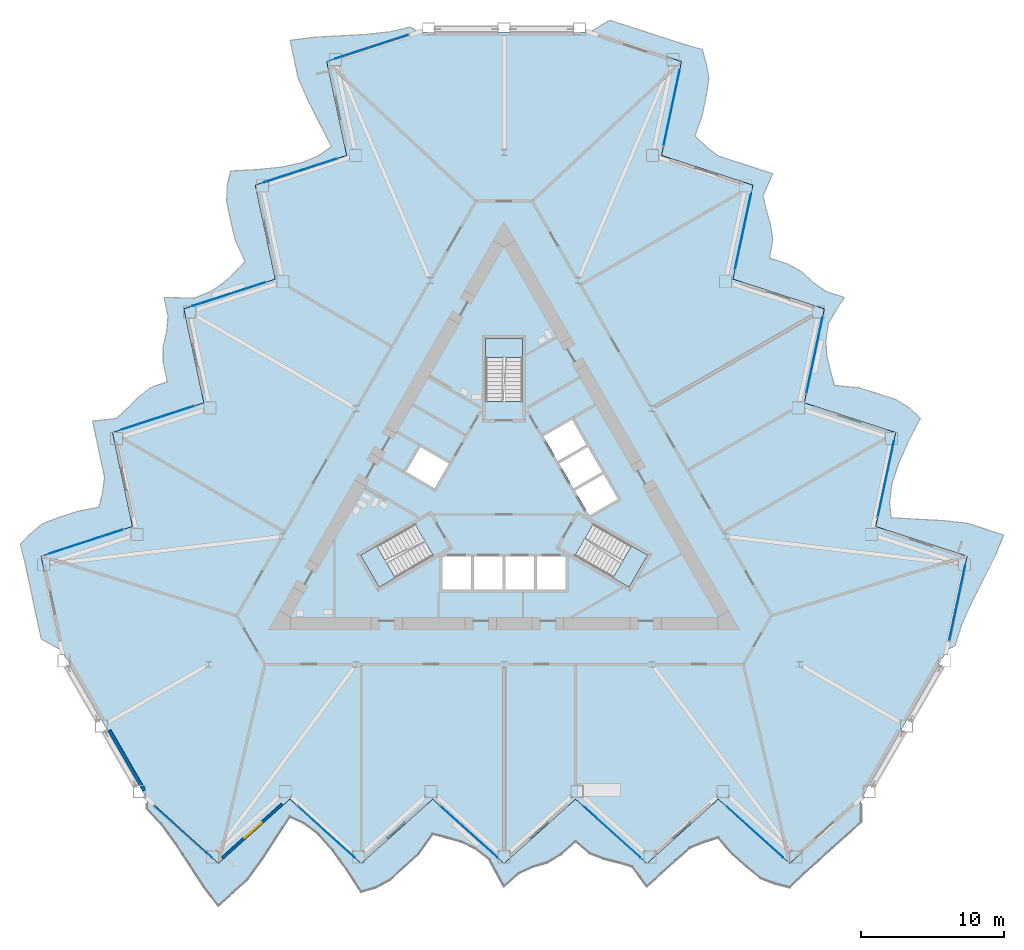
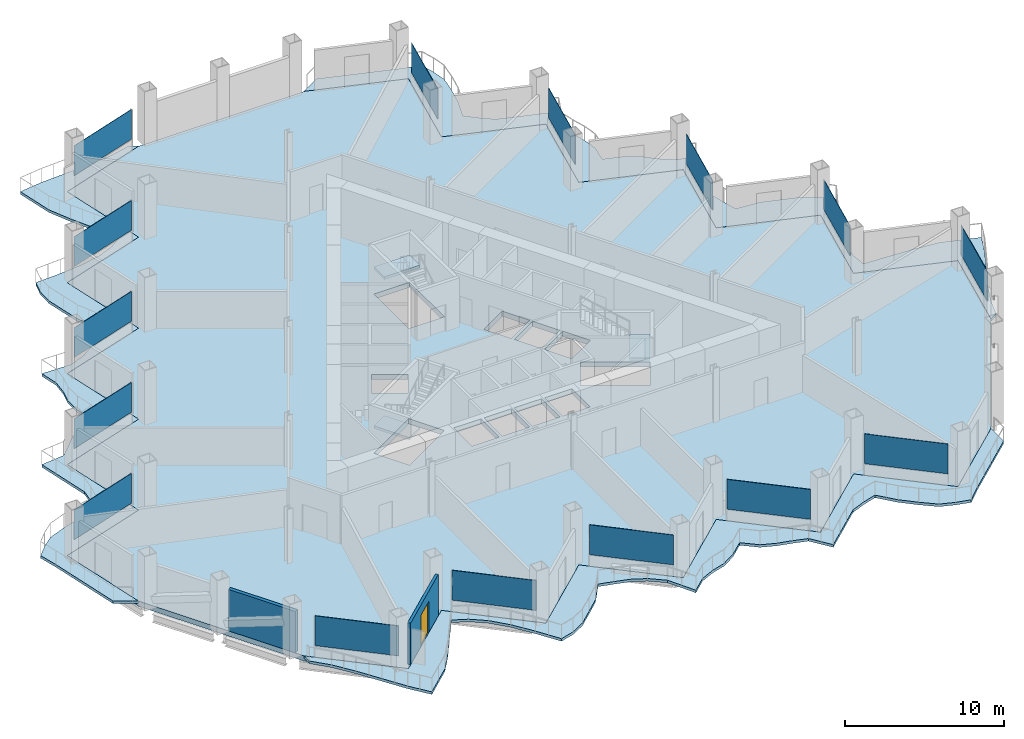
# One storey, part 9 of 21: 15 plates, 7 slabs, 2 walls, 1 door, 1 opening, 18 elements without a shape of their own.
"""IFC4 building model written with IfcOpenShell, lengths in metres."""

from ifc_helpers import new_model, si_unit, direction, frame, frame_2d, origin, origin_2d, place, context, subcontext, project, spatial, polyline, rectangle, outline, extrude, material, layer, layer_set, type_object, element, fill, aggregate, save


model = new_model("IFC4")

# Units and contexts
model_context = context("Model", 3, precision=1e-05, world=origin(), true_north=direction((0.0, 1.0)))
body_context = subcontext(model_context, "Body", "Model", "MODEL_VIEW")
ifc_project = project(units=[si_unit("LENGTHUNIT", "METRE"), si_unit("AREAUNIT", "SQUARE_METRE"), si_unit("VOLUMEUNIT", "CUBIC_METRE"), si_unit("PLANEANGLEUNIT", "RADIAN"), si_unit("MASSUNIT", "GRAM", prefix="KILO")], contexts=[model_context])

# Site, building, storey
site_placement = place(None, origin())
site = spatial("IfcSite", under=ifc_project, at=site_placement, CompositionType="ELEMENT")
building_placement = place(site_placement, origin())
building = spatial("IfcBuilding", under=site, at=building_placement, Name="Cormorant Prow Tower", CompositionType="ELEMENT")
storey_placement = place(building_placement, frame((0.0, 0.0, 108.0)))
storey = spatial("IfcBuildingStorey", under=building, at=storey_placement, Name="L22", CompositionType="ELEMENT", Elevation=108.0)

# Slabs
ifc_material_1 = material(Name="Concrete C40/50", Category="concrete")
ifc_layer_1 = layer(ifc_material_1, 0.199951171875)
ifc_layer_set_1 = layer_set([ifc_layer_1], Name="Concrete C40/50")
slab_type_1 = type_object("IfcSlabType", Name="Balcony slab 200", PredefinedType="FLOOR", material=ifc_layer_set_1)
slab_1_placement = place(storey_placement, frame((0.0, 0.0, -0.199951171875)))
element("IfcSlab", 1, at=slab_1_placement, inside=storey, type_object=slab_type_1, Name="Balcony slab S L22", PredefinedType="FLOOR", context=body_context, shape_type="SweptSolid", body=[
    extrude(outline(polyline([(-24.96337890625, -21.35498046875), (-24.96337890625, -22.0048828125), (-23.96484375, -23.073974609375), (-22.96630859375, -24.43701171875), (-21.9677734375, -25.967529296875), (-20.96923828125, -27.49365234375), (-19.970703125, -28.80029296875), (-18.97216796875, -27.9013671875), (-17.9736328125, -27.002197265625), (-16.97509765625, -25.642578125), (-15.9765625, -24.1083984375), (-14.97802734375, -22.586669921875), (-13.9794921875, -23.044677734375), (-12.98095703125, -23.8046875), (-11.982421875, -24.904052734375), (-10.98388671875, -26.288818359375), (-9.9853515625, -27.826416015625), (-8.98681640625, -27.545166015625), (-7.98828125, -27.002197265625), (-6.98974609375, -26.10302734375), (-5.9912109375, -25.185302734375), (-4.99267578125, -23.790283203125), (-3.994140625, -24.047607421875), (-2.99560546875, -24.334228515625), (-1.9970703125, -24.816162109375), (-0.99853515625, -25.607177734375), (0.0, -27.450439453125), (0.99853515625, -26.55126953125), (1.9970703125, -26.0888671875), (2.99560546875, -25.796875), (3.994140625, -25.2041015625), (4.99267578125, -24.304931640625), (5.9912109375, -25.149658203125), (6.98974609375, -25.53271484375), (7.98828125, -25.785400390625), (8.98681640625, -26.08349609375), (9.9853515625, -27.450439453125), (10.98388671875, -26.55126953125), (11.982421875, -25.652099609375), (12.98095703125, -24.753173828125), (13.9794921875, -24.350830078125), (14.97802734375, -24.046630859375), (15.9765625, -25.2041015625), (16.97509765625, -26.10302734375), (17.9736328125, -26.909912109375), (18.97216796875, -27.274169921875), (19.970703125, -27.5234375), (20.96923828125, -26.55126953125), (21.9677734375, -25.652099609375), (22.96630859375, -24.753173828125), (23.96484375, -23.85400390625), (24.96337890625, -22.954833984375), (24.96337890625, -21.35498046875), (23.96484375, -22.254150390625), (22.96630859375, -23.153076171875), (21.9677734375, -24.05224609375), (20.96923828125, -24.951171875), (19.970703125, -25.850341796875), (18.97216796875, -24.951171875), (17.9736328125, -24.05224609375), (16.97509765625, -23.153076171875), (15.9765625, -22.254150390625), (14.97802734375, -21.35498046875), (13.9794921875, -22.254150390625), (12.98095703125, -23.153076171875), (11.982421875, -24.05224609375), (10.98388671875, -24.951171875), (9.9853515625, -25.850341796875), (8.98681640625, -24.951171875), (7.98828125, -24.05224609375), (6.98974609375, -23.153076171875), (5.9912109375, -22.254150390625), (4.99267578125, -21.35498046875), (3.994140625, -22.254150390625), (2.99560546875, -23.153076171875), (1.9970703125, -24.05224609375), (0.99853515625, -24.951171875), (0.0, -25.850341796875), (-0.99853515625, -24.951171875), (-1.9970703125, -24.05224609375), (-2.99560546875, -23.153076171875), (-3.994140625, -22.254150390625), (-4.99267578125, -21.35498046875), (-5.9912109375, -22.254150390625), (-6.98974609375, -23.153076171875), (-7.98828125, -24.05224609375), (-8.98681640625, -24.951171875), (-9.9853515625, -25.850341796875), (-10.98388671875, -24.951171875), (-11.982421875, -24.05224609375), (-12.98095703125, -23.153076171875), (-13.9794921875, -22.254150390625), (-14.97802734375, -21.35498046875), (-15.9765625, -22.254150390625), (-16.97509765625, -23.153076171875), (-17.9736328125, -24.05224609375), (-18.97216796875, -24.951171875), (-19.970703125, -25.850341796875), (-20.96923828125, -24.951171875), (-21.9677734375, -24.05224609375), (-22.96630859375, -23.153076171875), (-23.96484375, -22.254150390625), (-24.96337890625, -21.35498046875)])), origin(), (0.0, 0.0, 1.0), 0.199951171875),
])
slab_2_placement = place(storey_placement, frame((0.0, 0.0, -0.199951171875)))
element("IfcSlab", 2, at=slab_2_placement, inside=storey, type_object=slab_type_1, Name="Balcony slab ENE L22", PredefinedType="FLOOR", context=body_context, shape_type="SweptSolid", body=[
    extrude(outline(polyline([(30.9755859375, -10.94140625), (31.53857421875, -10.616455078125), (31.965087890625, -9.217041015625), (32.646240234375, -7.6708984375), (33.472412109375, -6.041015625), (34.294921875, -4.4130859375), (34.92724609375, -2.89501953125), (33.6494140625, -2.479736328125), (32.371337890625, -2.064453125), (30.69482421875, -1.879638671875), (28.86669921875, -1.781982421875), (27.049560546875, -1.677978515625), (26.947021484375, -0.584228515625), (27.10595703125, 0.660400390625), (27.558837890625, 2.074951171875), (28.258544921875, 3.632080078125), (29.091064453125, 5.265625), (28.34814453125, 5.98974609375), (27.378662109375, 6.5830078125), (26.100830078125, 6.998291015625), (24.806640625, 7.404052734375), (23.09912109375, 7.5712890625), (22.822998046875, 8.564697265625), (22.57177734375, 9.57275390625), (22.489990234375, 10.678466796875), (22.67578125, 11.93896484375), (23.772705078125, 13.72509765625), (22.494873046875, 14.140380859375), (21.594970703125, 14.77392578125), (20.8427734375, 15.49267578125), (19.830322265625, 16.06103515625), (18.55224609375, 16.476318359375), (18.78466796875, 17.763427734375), (18.6171875, 18.819580078125), (18.336669921875, 19.810791015625), (18.095458984375, 20.824462890625), (18.780029296875, 22.372802734375), (17.502197265625, 22.7880859375), (16.22412109375, 23.203125), (14.9462890625, 23.618408203125), (14.098876953125, 24.281982421875), (13.3359375, 24.99462890625), (13.839111328125, 26.438232421875), (14.118408203125, 27.75244140625), (14.31787109375, 29.0205078125), (14.134033203125, 30.0673828125), (13.8505859375, 31.056884765625), (12.509521484375, 31.435546875), (11.2314453125, 31.850830078125), (9.95361328125, 32.265869140625), (8.67578125, 32.68115234375), (7.39794921875, 33.096435546875), (6.01220703125, 32.29638671875), (7.2900390625, 31.881103515625), (8.568115234375, 31.466064453125), (9.845947265625, 31.05078125), (11.123779296875, 30.635498046875), (12.401611328125, 30.22021484375), (12.122314453125, 28.906005859375), (11.843017578125, 27.591796875), (11.563720703125, 26.27734375), (11.2841796875, 24.963134765625), (11.0048828125, 23.64892578125), (12.28271484375, 23.233642578125), (13.560791015625, 22.818359375), (14.838623046875, 22.403076171875), (16.116455078125, 21.988037109375), (17.394287109375, 21.57275390625), (17.114990234375, 20.258544921875), (16.835693359375, 18.944091796875), (16.556396484375, 17.6298828125), (16.27685546875, 16.315673828125), (15.99755859375, 15.001220703125), (17.275390625, 14.5859375), (18.553466796875, 14.1708984375), (19.831298828125, 13.755615234375), (21.109130859375, 13.34033203125), (22.386962890625, 12.92529296875), (22.107666015625, 11.61083984375), (21.828369140625, 10.296630859375), (21.549072265625, 8.982177734375), (21.26953125, 7.66796875), (20.990234375, 6.353759765625), (22.26806640625, 5.9384765625), (23.546142578125, 5.523193359375), (24.823974609375, 5.108154296875), (26.101806640625, 4.69287109375), (27.379638671875, 4.277587890625), (27.100341796875, 2.96337890625), (26.821044921875, 1.64892578125), (26.541748046875, 0.334716796875), (26.26220703125, -0.9794921875), (25.98291015625, -2.2939453125), (27.2607421875, -2.708984375), (28.538818359375, -3.124267578125), (29.816650390625, -3.53955078125), (31.094482421875, -3.954833984375), (32.372314453125, -4.369873046875), (32.093017578125, -5.684326171875), (31.813720703125, -6.99853515625), (31.534423828125, -8.312744140625), (31.2548828125, -9.627197265625), (30.9755859375, -10.94140625)])), origin(), (0.0, 0.0, 1.0), 0.199951171875),
])
slab_3_placement = place(storey_placement, frame((0.0, 0.0, -0.199951171875)))
element("IfcSlab", 3, at=slab_3_placement, inside=storey, type_object=slab_type_1, Name="Balcony slab WNW L22", PredefinedType="FLOOR", context=body_context, shape_type="SweptSolid", body=[
    extrude(outline(polyline([(-6.01220703125, 32.29638671875), (-6.5751953125, 32.621337890625), (-8.000244140625, 32.291259765625), (-9.679931640625, 32.10791015625), (-11.504638671875, 32.00830078125), (-13.32568359375, 31.90673828125), (-14.95654296875, 31.6953125), (-14.67724609375, 30.381103515625), (-14.397705078125, 29.066650390625), (-13.7197265625, 27.522216796875), (-12.89013671875, 25.890380859375), (-12.071533203125, 24.2646484375), (-12.967529296875, 23.62890625), (-14.125, 23.14404296875), (-15.576416015625, 22.8291015625), (-17.274658203125, 22.65673828125), (-19.105712890625, 22.560791015625), (-19.361328125, 21.555419921875), (-19.390380859375, 20.419189453125), (-19.111083984375, 19.104736328125), (-18.8154296875, 17.78125), (-18.1064453125, 16.21875), (-18.828857421875, 15.48291015625), (-19.576171875, 14.76123046875), (-20.492919921875, 14.1376953125), (-21.67724609375, 13.66845703125), (-23.772705078125, 13.72509765625), (-23.493408203125, 12.410888671875), (-23.592041015625, 11.31494140625), (-23.83837890625, 10.30419921875), (-23.824462890625, 9.14306640625), (-23.544921875, 7.82861328125), (-24.77587890625, 7.38623046875), (-25.60693359375, 6.713134765625), (-26.324951171875, 5.974609375), (-27.082275390625, 5.2587890625), (-28.765380859375, 5.07763671875), (-28.486083984375, 3.763427734375), (-28.206787109375, 2.448974609375), (-27.92724609375, 1.134765625), (-28.078369140625, 0.06884765625), (-28.31396484375, -0.947998046875), (-29.815673828125, -1.234130859375), (-31.093505859375, -1.6494140625), (-32.29150390625, -2.110595703125), (-33.106201171875, -2.793212890625), (-33.8212890625, -3.533447265625), (-33.478759765625, -4.88427734375), (-33.199462890625, -6.198486328125), (-32.919921875, -7.512939453125), (-32.640625, -8.8271484375), (-32.361328125, -10.141357421875), (-30.9755859375, -10.94140625), (-31.2548828125, -9.627197265625), (-31.534423828125, -8.312744140625), (-31.813720703125, -6.99853515625), (-32.093017578125, -5.684326171875), (-32.372314453125, -4.369873046875), (-31.094482421875, -3.954833984375), (-29.816650390625, -3.53955078125), (-28.538818359375, -3.124267578125), (-27.2607421875, -2.708984375), (-25.98291015625, -2.2939453125), (-26.26220703125, -0.9794921875), (-26.541748046875, 0.334716796875), (-26.821044921875, 1.64892578125), (-27.100341796875, 2.96337890625), (-27.379638671875, 4.277587890625), (-26.101806640625, 4.69287109375), (-24.823974609375, 5.108154296875), (-23.546142578125, 5.523193359375), (-22.26806640625, 5.9384765625), (-20.990234375, 6.353759765625), (-21.26953125, 7.66796875), (-21.549072265625, 8.982177734375), (-21.828369140625, 10.296630859375), (-22.107666015625, 11.61083984375), (-22.386962890625, 12.92529296875), (-21.109130859375, 13.34033203125), (-19.831298828125, 13.755615234375), (-18.553466796875, 14.1708984375), (-17.275390625, 14.5859375), (-15.99755859375, 15.001220703125), (-16.27685546875, 16.315673828125), (-16.556396484375, 17.6298828125), (-16.835693359375, 18.944091796875), (-17.114990234375, 20.258544921875), (-17.394287109375, 21.57275390625), (-16.116455078125, 21.988037109375), (-14.838623046875, 22.403076171875), (-13.560791015625, 22.818359375), (-12.28271484375, 23.233642578125), (-11.0048828125, 23.64892578125), (-11.2841796875, 24.963134765625), (-11.563720703125, 26.27734375), (-11.843017578125, 27.591796875), (-12.122314453125, 28.906005859375), (-12.401611328125, 30.22021484375), (-11.123779296875, 30.635498046875), (-9.845947265625, 31.05078125), (-8.568115234375, 31.466064453125), (-7.2900390625, 31.881103515625), (-6.01220703125, 32.29638671875)])), origin(), (0.0, 0.0, 1.0), 0.199951171875),
])

# Curtain wall, plate
ifc_material_2 = material(Name="Aluminium 6063-T6", Category="aluminium")
ifc_layer_2 = layer(ifc_material_2, 0.199951171875)
ifc_layer_set_2 = layer_set([ifc_layer_2], Name="Aluminium 6063-T6")
curtain_wall_type = type_object("IfcCurtainWallType", Name="Office unitised curtain wall 200", PredefinedType="NOTDEFINED", material=ifc_layer_set_2)
curtain_wall_1_placement = place(storey_placement, origin())
curtain_wall_1 = element("IfcCurtainWall", 4, at=curtain_wall_1_placement, inside=storey, type_object=curtain_wall_type, Name="Office curtain wall S00", PredefinedType="NOTDEFINED")
ifc_material_3 = material(Name="Clear glass", Category="glass")
ifc_layer_3 = layer(ifc_material_3, 0.031982421875)
ifc_layer_set_3 = layer_set([ifc_layer_3], Name="Clear glass")
plate_type = type_object("IfcPlateType", Name="Office glass panel 32", PredefinedType="CURTAIN_PANEL", material=ifc_layer_set_3)
plate_1_placement = place(storey_placement, frame((-22.44482421875, -23.622802734375, 0.89990234375), z_axis=(0.0, 0.0, 1.0), x_axis=(0.743144785735, -0.669130650497, 0.0)))
plate_1 = element("IfcPlate", 5, at=plate_1_placement, type_object=plate_type, Name="Office glass panel S00", PredefinedType="CURTAIN_PANEL", context=body_context, shape_type="SweptSolid", body=[
    extrude(rectangle(XDim=5.38623046875, YDim=0.031982421875, at=origin_2d()), origin(), (0.0, 0.0, 1.0), 2.288818359375),
])
aggregate(curtain_wall_1, [plate_1])

curtain_wall_2_placement = place(storey_placement, origin())
curtain_wall_2 = element("IfcCurtainWall", 6, at=curtain_wall_2_placement, inside=storey, type_object=curtain_wall_type, Name="Office curtain wall S02", PredefinedType="NOTDEFINED")
plate_2_placement = place(storey_placement, frame((-12.45947265625, -23.622802734375, 0.89990234375), z_axis=(0.0, 0.0, 1.0), x_axis=(0.743144785735, -0.669130650497, 0.0)))
plate_2 = element("IfcPlate", 7, at=plate_2_placement, type_object=plate_type, Name="Office glass panel S02", PredefinedType="CURTAIN_PANEL", context=body_context, shape_type="SweptSolid", body=[
    extrude(rectangle(XDim=5.38623046875, YDim=0.031982421875, at=origin_2d()), origin(), (0.0, 0.0, 1.0), 2.288818359375),
])
aggregate(curtain_wall_2, [plate_2])

curtain_wall_3_placement = place(storey_placement, origin())
curtain_wall_3 = element("IfcCurtainWall", 8, at=curtain_wall_3_placement, inside=storey, type_object=curtain_wall_type, Name="Office curtain wall S04", PredefinedType="NOTDEFINED")
plate_3_placement = place(storey_placement, frame((-2.47412109375, -23.622802734375, 0.89990234375), z_axis=(0.0, 0.0, 1.0), x_axis=(0.743144785735, -0.669130650497, 0.0)))
plate_3 = element("IfcPlate", 9, at=plate_3_placement, type_object=plate_type, Name="Office glass panel S04", PredefinedType="CURTAIN_PANEL", context=body_context, shape_type="SweptSolid", body=[
    extrude(rectangle(XDim=5.38623046875, YDim=0.031982421875, at=origin_2d()), origin(), (0.0, 0.0, 1.0), 2.288818359375),
])
aggregate(curtain_wall_3, [plate_3])

curtain_wall_4_placement = place(storey_placement, origin())
curtain_wall_4 = element("IfcCurtainWall", 10, at=curtain_wall_4_placement, inside=storey, type_object=curtain_wall_type, Name="Office curtain wall S06", PredefinedType="NOTDEFINED")
plate_4_placement = place(storey_placement, frame((7.51123046875, -23.622802734375, 0.89990234375), z_axis=(0.0, 0.0, 1.0), x_axis=(0.743144785735, -0.669130650497, 0.0)))
plate_4 = element("IfcPlate", 11, at=plate_4_placement, type_object=plate_type, Name="Office glass panel S06", PredefinedType="CURTAIN_PANEL", context=body_context, shape_type="SweptSolid", body=[
    extrude(rectangle(XDim=5.38623046875, YDim=0.031982421875, at=origin_2d()), origin(), (0.0, 0.0, 1.0), 2.288818359375),
])
aggregate(curtain_wall_4, [plate_4])

curtain_wall_5_placement = place(storey_placement, origin())
curtain_wall_5 = element("IfcCurtainWall", 12, at=curtain_wall_5_placement, inside=storey, type_object=curtain_wall_type, Name="Office curtain wall S08", PredefinedType="NOTDEFINED")
plate_5_placement = place(storey_placement, frame((17.49658203125, -23.622802734375, 0.89990234375), z_axis=(0.0, 0.0, 1.0), x_axis=(0.743144785735, -0.669130650497, 0.0)))
plate_5 = element("IfcPlate", 13, at=plate_5_placement, type_object=plate_type, Name="Office glass panel S08", PredefinedType="CURTAIN_PANEL", context=body_context, shape_type="SweptSolid", body=[
    extrude(rectangle(XDim=5.38623046875, YDim=0.031982421875, at=origin_2d()), origin(), (0.0, 0.0, 1.0), 2.288818359375),
])
aggregate(curtain_wall_5, [plate_5])

curtain_wall_6_placement = place(storey_placement, origin())
curtain_wall_6 = element("IfcCurtainWall", 14, at=curtain_wall_6_placement, inside=storey, type_object=curtain_wall_type, Name="Office curtain wall ENE00", PredefinedType="NOTDEFINED")
plate_6_placement = place(storey_placement, frame((31.68017578125, -7.62646484375, 0.89990234375), z_axis=(0.0, 0.0, 1.0), x_axis=(0.207911769861, 0.978147583933, 0.0)))
plate_6 = element("IfcPlate", 15, at=plate_6_placement, type_object=plate_type, Name="Office glass panel ENE00", PredefinedType="CURTAIN_PANEL", context=body_context, shape_type="SweptSolid", body=[
    extrude(rectangle(XDim=5.38623046875, YDim=0.031982421875, at=origin_2d()), origin(), (0.0, 0.0, 1.0), 2.288818359375),
])
aggregate(curtain_wall_6, [plate_6])

curtain_wall_7_placement = place(storey_placement, origin())
curtain_wall_7 = element("IfcCurtainWall", 16, at=curtain_wall_7_placement, inside=storey, type_object=curtain_wall_type, Name="Office curtain wall ENE02", PredefinedType="NOTDEFINED")
plate_7_placement = place(storey_placement, frame((26.6875, 1.021240234375, 0.89990234375), z_axis=(0.0, 0.0, 1.0), x_axis=(0.207911769861, 0.978147583933, 0.0)))
plate_7 = element("IfcPlate", 17, at=plate_7_placement, type_object=plate_type, Name="Office glass panel ENE02", PredefinedType="CURTAIN_PANEL", context=body_context, shape_type="SweptSolid", body=[
    extrude(rectangle(XDim=5.38623046875, YDim=0.031982421875, at=origin_2d()), origin(), (0.0, 0.0, 1.0), 2.288818359375),
])
aggregate(curtain_wall_7, [plate_7])

curtain_wall_8_placement = place(storey_placement, origin())
curtain_wall_8 = element("IfcCurtainWall", 18, at=curtain_wall_8_placement, inside=storey, type_object=curtain_wall_type, Name="Office curtain wall ENE04", PredefinedType="NOTDEFINED")
plate_8_placement = place(storey_placement, frame((21.69482421875, 9.668701171875, 0.89990234375), z_axis=(0.0, 0.0, 1.0), x_axis=(0.207911769861, 0.978147583933, 0.0)))
plate_8 = element("IfcPlate", 19, at=plate_8_placement, type_object=plate_type, Name="Office glass panel ENE04", PredefinedType="CURTAIN_PANEL", context=body_context, shape_type="SweptSolid", body=[
    extrude(rectangle(XDim=5.38623046875, YDim=0.031982421875, at=origin_2d()), origin(), (0.0, 0.0, 1.0), 2.288818359375),
])
aggregate(curtain_wall_8, [plate_8])

curtain_wall_9_placement = place(storey_placement, origin())
curtain_wall_9 = element("IfcCurtainWall", 20, at=curtain_wall_9_placement, inside=storey, type_object=curtain_wall_type, Name="Office curtain wall ENE06", PredefinedType="NOTDEFINED")
plate_9_placement = place(storey_placement, frame((16.7021484375, 18.31640625, 0.89990234375), z_axis=(0.0, 0.0, 1.0), x_axis=(0.207911769861, 0.978147583933, 0.0)))
plate_9 = element("IfcPlate", 21, at=plate_9_placement, type_object=plate_type, Name="Office glass panel ENE06", PredefinedType="CURTAIN_PANEL", context=body_context, shape_type="SweptSolid", body=[
    extrude(rectangle(XDim=5.38623046875, YDim=0.031982421875, at=origin_2d()), origin(), (0.0, 0.0, 1.0), 2.288818359375),
])
aggregate(curtain_wall_9, [plate_9])

curtain_wall_10_placement = place(storey_placement, origin())
curtain_wall_10 = element("IfcCurtainWall", 22, at=curtain_wall_10_placement, inside=storey, type_object=curtain_wall_type, Name="Office curtain wall ENE08", PredefinedType="NOTDEFINED")
plate_10_placement = place(storey_placement, frame((11.70947265625, 26.9638671875, 0.89990234375), z_axis=(0.0, 0.0, 1.0), x_axis=(0.207911769861, 0.978147583933, 0.0)))
plate_10 = element("IfcPlate", 23, at=plate_10_placement, type_object=plate_type, Name="Office glass panel ENE08", PredefinedType="CURTAIN_PANEL", context=body_context, shape_type="SweptSolid", body=[
    extrude(rectangle(XDim=5.38623046875, YDim=0.031982421875, at=origin_2d()), origin(), (0.0, 0.0, 1.0), 2.288818359375),
])
aggregate(curtain_wall_10, [plate_10])

curtain_wall_11_placement = place(storey_placement, origin())
curtain_wall_11 = element("IfcCurtainWall", 24, at=curtain_wall_11_placement, inside=storey, type_object=curtain_wall_type, Name="Office curtain wall WNW00", PredefinedType="NOTDEFINED")
plate_11_placement = place(storey_placement, frame((-9.235595703125, 31.2490234375, 0.89990234375), z_axis=(0.0, 0.0, 1.0), x_axis=(-0.951056535959, -0.309016933855, 0.0)))
plate_11 = element("IfcPlate", 25, at=plate_11_placement, type_object=plate_type, Name="Office glass panel WNW00", PredefinedType="CURTAIN_PANEL", context=body_context, shape_type="SweptSolid", body=[
    extrude(rectangle(XDim=5.38623046875, YDim=0.031982421875, at=origin_2d()), origin(), (0.0, 0.0, 1.0), 2.288818359375),
])
aggregate(curtain_wall_11, [plate_11])

curtain_wall_12_placement = place(storey_placement, origin())
curtain_wall_12 = element("IfcCurtainWall", 26, at=curtain_wall_12_placement, inside=storey, type_object=curtain_wall_type, Name="Office curtain wall WNW02", PredefinedType="NOTDEFINED")
plate_12_placement = place(storey_placement, frame((-14.228271484375, 22.6015625, 0.89990234375), z_axis=(0.0, 0.0, 1.0), x_axis=(-0.951056535959, -0.309016933855, 0.0)))
plate_12 = element("IfcPlate", 27, at=plate_12_placement, type_object=plate_type, Name="Office glass panel WNW02", PredefinedType="CURTAIN_PANEL", context=body_context, shape_type="SweptSolid", body=[
    extrude(rectangle(XDim=5.38623046875, YDim=0.031982421875, at=origin_2d()), origin(), (0.0, 0.0, 1.0), 2.288818359375),
])
aggregate(curtain_wall_12, [plate_12])

curtain_wall_13_placement = place(storey_placement, origin())
curtain_wall_13 = element("IfcCurtainWall", 28, at=curtain_wall_13_placement, inside=storey, type_object=curtain_wall_type, Name="Office curtain wall WNW04", PredefinedType="NOTDEFINED")
plate_13_placement = place(storey_placement, frame((-19.220947265625, 13.953857421875, 0.89990234375), z_axis=(0.0, 0.0, 1.0), x_axis=(-0.951056535959, -0.309016933855, 0.0)))
plate_13 = element("IfcPlate", 29, at=plate_13_placement, type_object=plate_type, Name="Office glass panel WNW04", PredefinedType="CURTAIN_PANEL", context=body_context, shape_type="SweptSolid", body=[
    extrude(rectangle(XDim=5.38623046875, YDim=0.031982421875, at=origin_2d()), origin(), (0.0, 0.0, 1.0), 2.288818359375),
])
aggregate(curtain_wall_13, [plate_13])

curtain_wall_14_placement = place(storey_placement, origin())
curtain_wall_14 = element("IfcCurtainWall", 30, at=curtain_wall_14_placement, inside=storey, type_object=curtain_wall_type, Name="Office curtain wall WNW06", PredefinedType="NOTDEFINED")
plate_14_placement = place(storey_placement, frame((-24.213623046875, 5.306396484375, 0.89990234375), z_axis=(0.0, 0.0, 1.0), x_axis=(-0.951056535959, -0.309016933855, 0.0)))
plate_14 = element("IfcPlate", 31, at=plate_14_placement, type_object=plate_type, Name="Office glass panel WNW06", PredefinedType="CURTAIN_PANEL", context=body_context, shape_type="SweptSolid", body=[
    extrude(rectangle(XDim=5.38623046875, YDim=0.031982421875, at=origin_2d()), origin(), (0.0, 0.0, 1.0), 2.288818359375),
])
aggregate(curtain_wall_14, [plate_14])

curtain_wall_15_placement = place(storey_placement, origin())
curtain_wall_15 = element("IfcCurtainWall", 32, at=curtain_wall_15_placement, inside=storey, type_object=curtain_wall_type, Name="Office curtain wall WNW08", PredefinedType="NOTDEFINED")
plate_15_placement = place(storey_placement, frame((-29.206298828125, -3.34130859375, 0.89990234375), z_axis=(0.0, 0.0, 1.0), x_axis=(-0.951056535959, -0.309016933855, 0.0)))
plate_15 = element("IfcPlate", 33, at=plate_15_placement, type_object=plate_type, Name="Office glass panel WNW08", PredefinedType="CURTAIN_PANEL", context=body_context, shape_type="SweptSolid", body=[
    extrude(rectangle(XDim=5.38623046875, YDim=0.031982421875, at=origin_2d()), origin(), (0.0, 0.0, 1.0), 2.288818359375),
])
aggregate(curtain_wall_15, [plate_15])

# Slab
ifc_material_4 = material(Name="Concrete C40/50", Category="concrete")
ifc_layer_4 = layer(ifc_material_4, 0.39990234375)
ifc_layer_set_4 = layer_set([ifc_layer_4], Name="Concrete C40/50")
slab_type_2 = type_object("IfcSlabType", Name="Post-tensioned flat slab 400", PredefinedType="FLOOR", material=ifc_layer_set_4)
slab_4_placement = place(storey_placement, frame((0.0, 0.0, -0.39990234375)))
element("IfcSlab", 34, at=slab_4_placement, inside=storey, type_object=slab_type_2, Name="Floor slab L22", PredefinedType="FLOOR", context=body_context, shape_type="SweptSolid", body=[
    extrude(outline(polyline([(-12.401611328125, 30.22021484375), (-11.0048828125, 23.64892578125), (-17.394287109375, 21.57275390625), (-15.99755859375, 15.001220703125), (-22.386962890625, 12.92529296875), (-20.990234375, 6.353759765625), (-27.379638671875, 4.277587890625), (-25.98291015625, -2.2939453125), (-32.372314453125, -4.369873046875), (-30.9755859375, -10.94140625), (-27.969482421875, -16.148193359375), (-24.96337890625, -21.35498046875), (-19.970703125, -25.850341796875), (-14.97802734375, -21.35498046875), (-9.9853515625, -25.850341796875), (-4.99267578125, -21.35498046875), (0.0, -25.850341796875), (4.99267578125, -21.35498046875), (9.9853515625, -25.850341796875), (14.97802734375, -21.35498046875), (19.970703125, -25.850341796875), (24.96337890625, -21.35498046875), (27.969482421875, -16.148193359375), (30.9755859375, -10.94140625), (32.372314453125, -4.369873046875), (25.98291015625, -2.2939453125), (27.379638671875, 4.277587890625), (20.990234375, 6.353759765625), (22.386962890625, 12.92529296875), (15.99755859375, 15.001220703125), (17.394287109375, 21.57275390625), (11.0048828125, 23.64892578125), (12.401611328125, 30.22021484375), (6.01220703125, 32.29638671875), (0.0, 32.29638671875), (-6.01220703125, 32.29638671875), (-12.401611328125, 30.22021484375)]), holes=[polyline([(-4.300048828125, -6.699951171875), (-4.300048828125, -4.39990234375), (-2.300048828125, -4.39990234375), (-2.300048828125, -6.699951171875), (-4.300048828125, -6.699951171875)]), polyline([(-2.10009765625, -4.39990234375), (-0.10009765625, -4.39990234375), (-0.10009765625, -6.699951171875), (-2.10009765625, -6.699951171875), (-2.10009765625, -4.39990234375)]), polyline([(2.10009765625, -4.39990234375), (2.10009765625, -6.699951171875), (0.10009765625, -6.699951171875), (0.10009765625, -4.39990234375), (2.10009765625, -4.39990234375)]), polyline([(4.300048828125, -6.699951171875), (2.300048828125, -6.699951171875), (2.300048828125, -4.39990234375), (4.300048828125, -4.39990234375), (4.300048828125, -6.699951171875)]), polyline([(7.952392578125, -0.373779296875), (5.96044921875, -1.52392578125), (4.96044921875, 0.2080078125), (6.952392578125, 1.358154296875), (7.952392578125, -0.373779296875)]), polyline([(4.860595703125, 0.38134765625), (3.860595703125, 2.11328125), (5.852294921875, 3.263427734375), (6.852294921875, 1.53125), (4.860595703125, 0.38134765625)]), polyline([(2.760498046875, 4.018798828125), (4.75244140625, 5.168701171875), (5.75244140625, 3.4365234375), (3.760498046875, 2.28662109375), (2.760498046875, 4.018798828125)]), polyline([(-6.852294921875, 1.53125), (-5.852294921875, 3.263427734375), (-3.860595703125, 2.11328125), (-4.860595703125, 0.38134765625), (-6.852294921875, 1.53125)]), polyline([(-4.947509765625, -4.3505859375), (-8.738037109375, -6.5390625), (-10.031982421875, -4.2978515625), (-6.241455078125, -2.109375), (-4.947509765625, -4.3505859375)]), polyline([(10.031982421875, -4.2978515625), (8.738037109375, -6.5390625), (4.947509765625, -4.3505859375), (6.241455078125, -2.109375), (10.031982421875, -4.2978515625)]), polyline([(1.2939453125, 10.8369140625), (1.2939453125, 6.459716796875), (-1.2939453125, 6.459716796875), (-1.2939453125, 10.8369140625), (1.2939453125, 10.8369140625)])]), origin(), (0.0, 0.0, 1.0), 0.39990234375),
])

# Stair, slab
ifc_material_5 = material(Name="Exit stair 24 risers")
stair_type = type_object("IfcStairType", Name="Exit stair 24 risers", PredefinedType="HALF_TURN_STAIR", material=ifc_material_5)
stair_1_placement = place(storey_placement, origin())
stair_1 = element("IfcStair", 35, at=stair_1_placement, inside=storey, type_object=stair_type, Name="L22 Exit stair ST1", PredefinedType="HALF_TURN_STAIR")
ifc_material_6 = material(Name="Concrete 5000 psi", Category="concrete")
ifc_layer_5 = layer(ifc_material_6, 0.199951171875)
ifc_layer_set_5 = layer_set([ifc_layer_5], Name="Concrete 5000 psi")
slab_type_3 = type_object("IfcSlabType", Name="Stair landing 200", PredefinedType="LANDING", material=ifc_layer_set_5)
slab_5_placement = place(storey_placement, frame((0.0, 0.0, 1.89990234375)))
slab_5 = element("IfcSlab", 36, at=slab_5_placement, type_object=slab_type_3, Name="ST1 landing 1", PredefinedType="LANDING", context=body_context, shape_type="SweptSolid", body=[
    extrude(outline(polyline([(-8.90185546875, -3.645263671875), (-10.031982421875, -4.2978515625), (-8.738037109375, -6.5390625), (-7.60791015625, -5.886474609375), (-8.90185546875, -3.645263671875)])), origin(), (0.0, 0.0, 1.0), 0.2001953125),
])
aggregate(stair_1, [slab_5])

stair_2_placement = place(storey_placement, origin())
stair_2 = element("IfcStair", 37, at=stair_2_placement, inside=storey, type_object=stair_type, Name="L22 Exit stair ST2", PredefinedType="HALF_TURN_STAIR")
slab_6_placement = place(storey_placement, frame((0.0, 0.0, 1.89990234375)))
slab_6 = element("IfcSlab", 38, at=slab_6_placement, type_object=slab_type_3, Name="ST2 landing 1", PredefinedType="LANDING", context=body_context, shape_type="SweptSolid", body=[
    extrude(outline(polyline([(7.60791015625, -5.886474609375), (8.738037109375, -6.5390625), (10.031982421875, -4.2978515625), (8.90185546875, -3.645263671875), (7.60791015625, -5.886474609375)])), origin(), (0.0, 0.0, 1.0), 0.2001953125),
])
aggregate(stair_2, [slab_6])

stair_3_placement = place(storey_placement, origin())
stair_3 = element("IfcStair", 39, at=stair_3_placement, inside=storey, type_object=stair_type, Name="L22 Exit stair ST3", PredefinedType="HALF_TURN_STAIR")
slab_7_placement = place(storey_placement, frame((0.0, 0.0, 1.89990234375)))
slab_7 = element("IfcSlab", 40, at=slab_7_placement, type_object=slab_type_3, Name="ST3 landing 1", PredefinedType="LANDING", context=body_context, shape_type="SweptSolid", body=[
    extrude(outline(polyline([(1.2939453125, 9.53173828125), (1.2939453125, 10.8369140625), (-1.2939453125, 10.8369140625), (-1.2939453125, 9.53173828125), (1.2939453125, 9.53173828125)])), origin(), (0.0, 0.0, 1.0), 0.2001953125),
])
aggregate(stair_3, [slab_7])

# Wall
ifc_material_7 = material(Name="Terracotta", Category="masonry")
ifc_layer_6 = layer(ifc_material_7, 0.25)
ifc_layer_set_6 = layer_set([ifc_layer_6], Name="Terracotta")
wall_type_1 = type_object("IfcWallType", Name="Terracotta bay wall 250", PredefinedType="SOLIDWALL", material=ifc_layer_set_6)
wall_1_placement = place(storey_placement, frame((-27.597900390625, -16.541748046875, 0.0), z_axis=(0.0, 0.0, 1.0), x_axis=(0.499994084299, -0.866028819189, 0.0)))
element("IfcWall", 41, at=wall_1_placement, inside=storey, type_object=wall_type_1, Name="Terracotta bay wall WSW01", PredefinedType="SOLIDWALL", context=body_context, shape_type="SweptSolid", body=[
    extrude(rectangle(XDim=4.849609375, YDim=0.25, at=frame_2d((2.4248046875, 0.0))), origin(), (0.0, 0.0, 1.0), 3.18896484375),
])

# Wall, opening, door
ifc_material_8 = material(Name="Terracotta", Category="masonry")
ifc_layer_7 = layer(ifc_material_8, 0.199951171875)
ifc_layer_set_7 = layer_set([ifc_layer_7], Name="Terracotta")
wall_type_2 = type_object("IfcWallType", Name="Terracotta jamb wall 200", PredefinedType="SOLIDWALL", material=ifc_layer_set_7)
wall_2_placement = place(storey_placement, frame((-19.701904296875, -25.473876953125, 0.0), z_axis=(0.0, 0.0, 1.0), x_axis=(0.743145362679, 0.669130009736, 0.0)))
wall_2 = element("IfcWall", 42, at=wall_2_placement, inside=storey, type_object=wall_type_2, Name="Terracotta jamb wall S01", PredefinedType="SOLIDWALL", context=body_context, shape_type="SweptSolid", body=[
    extrude(rectangle(XDim=5.630615234375, YDim=0.199951171875, at=frame_2d((2.8154296875, 0.0))), origin(), (0.0, 0.0, 1.0), 3.18896484375),
])
opening_placement = place(wall_2_placement, frame((2.107421875, 0.0, 0.0)))
opening = element("IfcOpeningElement", 43, at=opening_placement, cuts=wall_2, Name="Opening ED22.01", PredefinedType="OPENING", context=body_context, shape_type="SweptSolid", body=[
    extrude(rectangle(XDim=1.60009765625, YDim=2.39990234375, at=frame_2d((0.800048828125, 1.199951171875))), frame((0.0, 0.10986328125, 0.0), z_axis=(0.0, -1.0, 0.0), x_axis=(1.0, 0.0, 0.0)), (0.0, 0.0, 1.0), 0.219970703125),
])
ifc_material_9 = material(Name="Aluminium 6063-T6", Category="aluminium")
door_type = type_object("IfcDoorType", Name="Balcony door 1600x2400", OperationType="DOUBLE_DOOR_SINGLE_SWING", PredefinedType="DOOR", material=ifc_material_9)
door_placement = place(opening_placement, origin())
door = element("IfcDoor", 44, at=door_placement, inside=storey, type_object=door_type, Name="Balcony door S01 ED22.01", OperationType="DOUBLE_DOOR_SINGLE_SWING", OverallHeight=2.39990234375, OverallWidth=1.60009765625, PredefinedType="DOOR", context=body_context, shape_type="SweptSolid", body=[
    extrude(rectangle(XDim=1.60009765625, YDim=2.39990234375, at=frame_2d((0.800048828125, 1.199951171875))), frame((0.0, 0.02490234375, 0.0), z_axis=(0.0, -1.0, 0.0), x_axis=(1.0, 0.0, 0.0)), (0.0, 0.0, 1.0), 0.050048828125),
])
fill(opening, door)

save(model, "model.ifc")
